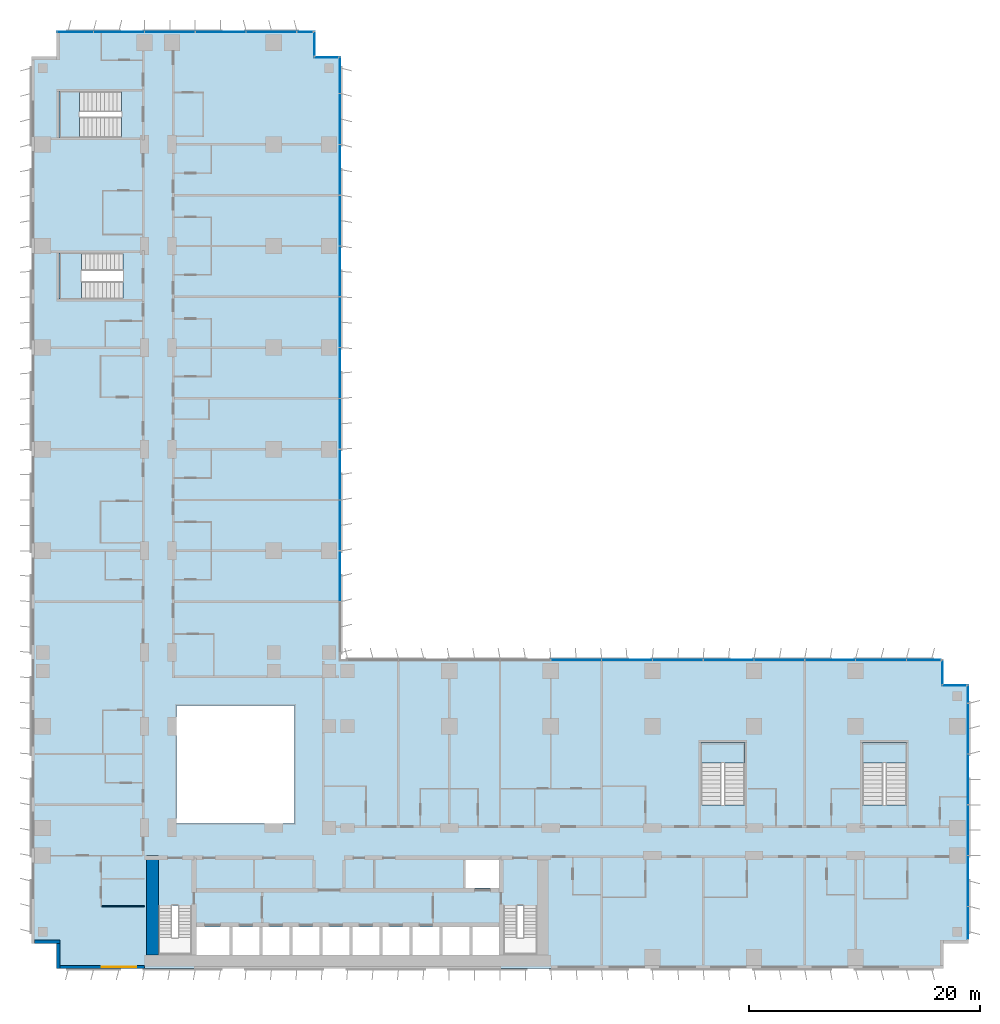
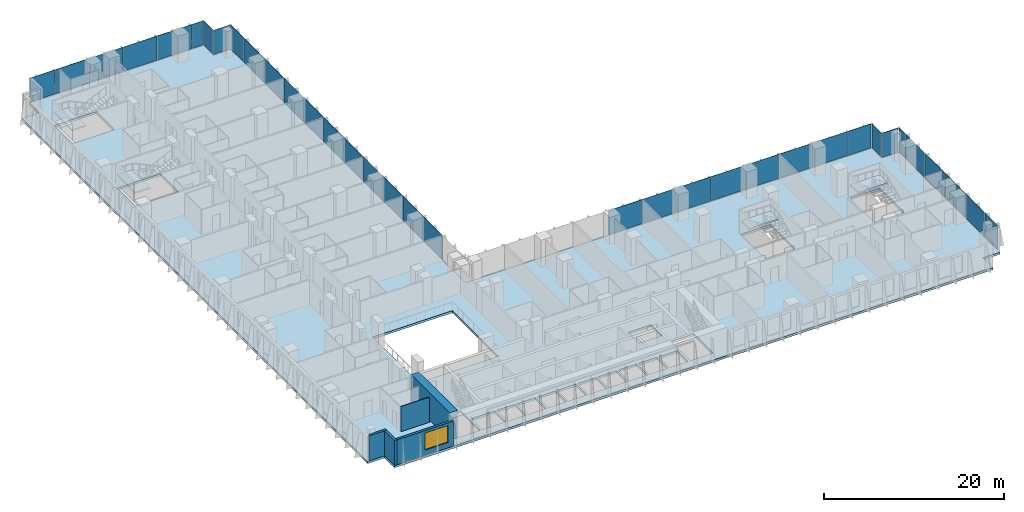
# One storey, part 11 of 24: 35 plates, 5 slabs, 5 walls, 1 window, 1 opening, 12 elements without a shape of their own.
"""IFC4 building model written with IfcOpenShell, lengths in metres."""

from ifc_helpers import new_model, si_unit, direction, frame, frame_2d, origin, origin_2d, place, context, subcontext, project, spatial, polyline, rectangle, outline, extrude, source, transform, mapped, material, layer, layer_set, type_object, element, fill, aggregate, save


model = new_model("IFC4")

# Units and contexts
model_context = context("Model", 3, precision=1e-05, world=origin(), true_north=direction((0.0, 1.0)))
body_context = subcontext(model_context, "Body", "Model", "MODEL_VIEW")
ifc_project = project(units=[si_unit("LENGTHUNIT", "METRE"), si_unit("AREAUNIT", "SQUARE_METRE"), si_unit("VOLUMEUNIT", "CUBIC_METRE"), si_unit("PLANEANGLEUNIT", "RADIAN"), si_unit("MASSUNIT", "GRAM", prefix="KILO")], contexts=[model_context])

# Site, building, storey
site_placement = place(None, origin())
site = spatial("IfcSite", under=ifc_project, at=site_placement, CompositionType="ELEMENT")
building_placement = place(site_placement, origin())
building = spatial("IfcBuilding", under=site, at=building_placement, Name="Kemantara Hotel Tower", CompositionType="ELEMENT")
storey_placement = place(building_placement, frame((0.0, 0.0, 59.89990234375)))
storey = spatial("IfcBuildingStorey", under=building, at=storey_placement, Name="L13", CompositionType="ELEMENT", Elevation=59.89990234375)

# Slab
ifc_material_1 = material(Name="Concrete fc 40 MPa", Category="concrete")
ifc_layer_1 = layer(ifc_material_1, 0.300048828125)
ifc_layer_set_1 = layer_set([ifc_layer_1], Name="Concrete fc 40 MPa")
slab_type_1 = type_object("IfcSlabType", Name="POST-TENSIONED FLAT PLATE 300", PredefinedType="FLOOR", material=ifc_layer_set_1)
slab_1_placement = place(storey_placement, frame((0.0, 0.0, -0.2998046875)))
element("IfcSlab", 1, at=slab_1_placement, inside=storey, type_object=slab_type_1, Name="FLOOR SLAB L13", PredefinedType="FLOOR", context=body_context, shape_type="SweptSolid", body=[
    extrude(outline(polyline([(0.0, 2.199951171875), (2.199951171875, 2.199951171875), (2.199951171875, 0.0), (79.0, 0.0), (79.0, 2.199951171875), (81.199951171875, 2.199951171875), (81.199951171875, 24.60009765625), (79.0, 24.60009765625), (79.0, 26.800048828125), (26.800048828125, 26.800048828125), (26.800048828125, 79.0), (24.60009765625, 79.0), (24.60009765625, 81.199951171875), (2.199951171875, 81.199951171875), (2.199951171875, 79.0), (0.0, 79.0), (0.0, 2.199951171875)]), holes=[polyline([(17.175048828125, 1.199951171875), (14.22509765625, 1.199951171875), (14.22509765625, 3.60009765625), (17.175048828125, 3.60009765625), (17.175048828125, 1.199951171875)]), polyline([(19.77490234375, 1.199951171875), (17.425048828125, 1.199951171875), (17.425048828125, 3.60009765625), (19.77490234375, 3.60009765625), (19.77490234375, 1.199951171875)]), polyline([(22.375, 1.199951171875), (20.02490234375, 1.199951171875), (20.02490234375, 3.60009765625), (22.375, 3.60009765625), (22.375, 1.199951171875)]), polyline([(24.97509765625, 1.199951171875), (22.625, 1.199951171875), (22.625, 3.60009765625), (24.97509765625, 3.60009765625), (24.97509765625, 1.199951171875)]), polyline([(27.574951171875, 1.199951171875), (25.22509765625, 1.199951171875), (25.22509765625, 3.60009765625), (27.574951171875, 3.60009765625), (27.574951171875, 1.199951171875)]), polyline([(11.0, 1.199951171875), (11.0, 5.49951171875), (13.89990234375, 5.49951171875), (13.89990234375, 1.199951171875), (11.0, 1.199951171875)]), polyline([(22.800048828125, 12.60009765625), (12.60009765625, 12.60009765625), (12.60009765625, 22.800048828125), (22.800048828125, 22.800048828125), (22.800048828125, 12.60009765625)]), polyline([(7.949462890625, 62.0), (7.949462890625, 58.0), (2.39990234375, 58.0), (2.39990234375, 62.0), (7.949462890625, 62.0)]), polyline([(7.79931640625, 76.0), (7.79931640625, 72.0), (2.39990234375, 72.0), (2.39990234375, 76.0), (7.79931640625, 76.0)]), polyline([(30.175048828125, 1.199951171875), (27.824951171875, 1.199951171875), (27.824951171875, 3.60009765625), (30.175048828125, 3.60009765625), (30.175048828125, 1.199951171875)]), polyline([(32.77490234375, 1.199951171875), (30.425048828125, 1.199951171875), (30.425048828125, 3.60009765625), (32.77490234375, 3.60009765625), (32.77490234375, 1.199951171875)]), polyline([(35.375, 1.199951171875), (33.02490234375, 1.199951171875), (33.02490234375, 3.60009765625), (35.375, 3.60009765625), (35.375, 1.199951171875)]), polyline([(37.97509765625, 1.199951171875), (35.625, 1.199951171875), (35.625, 3.60009765625), (37.97509765625, 3.60009765625), (37.97509765625, 1.199951171875)]), polyline([(40.574951171875, 1.199951171875), (38.22509765625, 1.199951171875), (38.22509765625, 3.60009765625), (40.574951171875, 3.60009765625), (40.574951171875, 1.199951171875)]), polyline([(40.89990234375, 1.199951171875), (40.89990234375, 5.49951171875), (43.800048828125, 5.49951171875), (43.800048828125, 1.199951171875), (40.89990234375, 1.199951171875)]), polyline([(40.574951171875, 7.0), (37.625, 7.0), (37.625, 9.39990234375), (40.574951171875, 9.39990234375), (40.574951171875, 7.0)]), polyline([(61.800048828125, 14.20068359375), (58.0, 14.20068359375), (58.0, 19.60009765625), (61.800048828125, 19.60009765625), (61.800048828125, 14.20068359375)]), polyline([(75.800048828125, 14.20068359375), (72.0, 14.20068359375), (72.0, 19.60009765625), (75.800048828125, 19.60009765625), (75.800048828125, 14.20068359375)])]), origin(), (0.0, 0.0, 1.0), 0.2998046875),
])

# Stair, slab
stair_type_1 = type_object("IfcStairType", Name="Stair 1800 wide 22 risers of 168 x 360 mm", PredefinedType="HALF_TURN_STAIR", material=ifc_material_1)
stair_1_placement = place(storey_placement, origin())
stair_1 = element("IfcStair", 2, at=stair_1_placement, inside=storey, type_object=stair_type_1, Name="L13 Exit stair ST3", PredefinedType="HALF_TURN_STAIR")
ifc_layer_2 = layer(ifc_material_1, 0.199951171875)
ifc_layer_set_2 = layer_set([ifc_layer_2], Name="Concrete fc 40 MPa")
slab_type_2 = type_object("IfcSlabType", Name="Stair landing 200 mm", PredefinedType="LANDING", material=ifc_layer_set_2)
slab_2_placement = place(storey_placement, frame((0.0, 0.0, 1.650146484375)))
slab_2 = element("IfcSlab", 3, at=slab_2_placement, type_object=slab_type_2, Name="ST3 landing 1", PredefinedType="LANDING", context=body_context, shape_type="SweptSolid", body=[
    extrude(outline(polyline([(61.800048828125, 17.800048828125), (61.800048828125, 19.60009765625), (58.0, 19.60009765625), (58.0, 17.800048828125), (61.800048828125, 17.800048828125)])), origin(), (0.0, 0.0, 1.0), 0.199951171875),
])
aggregate(stair_1, [slab_2])

stair_type_2 = type_object("IfcStairType", Name="Stair 1550 wide 22 risers of 168 x 360 mm", PredefinedType="HALF_TURN_STAIR", material=ifc_material_1)
stair_2_placement = place(storey_placement, origin())
stair_2 = element("IfcStair", 4, at=stair_2_placement, inside=storey, type_object=stair_type_2, Name="L13 Exit stair ST4", PredefinedType="HALF_TURN_STAIR")
slab_3_placement = place(storey_placement, frame((0.0, 0.0, 1.650146484375)))
slab_3 = element("IfcSlab", 5, at=slab_3_placement, type_object=slab_type_2, Name="ST4 landing 1", PredefinedType="LANDING", context=body_context, shape_type="SweptSolid", body=[
    extrude(outline(polyline([(4.35009765625, 62.0), (2.39990234375, 62.0), (2.39990234375, 58.0), (4.35009765625, 58.0), (4.35009765625, 62.0)])), origin(), (0.0, 0.0, 1.0), 0.199951171875),
])
aggregate(stair_2, [slab_3])

stair_3_placement = place(storey_placement, origin())
stair_3 = element("IfcStair", 6, at=stair_3_placement, inside=storey, type_object=stair_type_1, Name="L13 Exit stair ST5", PredefinedType="HALF_TURN_STAIR")
slab_4_placement = place(storey_placement, frame((0.0, 0.0, 1.650146484375)))
slab_4 = element("IfcSlab", 7, at=slab_4_placement, type_object=slab_type_2, Name="ST5 landing 1", PredefinedType="LANDING", context=body_context, shape_type="SweptSolid", body=[
    extrude(outline(polyline([(75.800048828125, 17.800048828125), (75.800048828125, 19.60009765625), (72.0, 19.60009765625), (72.0, 17.800048828125), (75.800048828125, 17.800048828125)])), origin(), (0.0, 0.0, 1.0), 0.199951171875),
])
aggregate(stair_3, [slab_4])

stair_4_placement = place(storey_placement, origin())
stair_4 = element("IfcStair", 8, at=stair_4_placement, inside=storey, type_object=stair_type_1, Name="L13 Exit stair ST6", PredefinedType="HALF_TURN_STAIR")
slab_5_placement = place(storey_placement, frame((0.0, 0.0, 1.650146484375)))
slab_5 = element("IfcSlab", 9, at=slab_5_placement, type_object=slab_type_2, Name="ST6 landing 1", PredefinedType="LANDING", context=body_context, shape_type="SweptSolid", body=[
    extrude(outline(polyline([(4.199951171875, 76.0), (2.39990234375, 76.0), (2.39990234375, 72.0), (4.199951171875, 72.0), (4.199951171875, 76.0)])), origin(), (0.0, 0.0, 1.0), 0.199951171875),
])
aggregate(stair_4, [slab_5])

# Curtain wall, plates
ifc_material_2 = material(Name="Low-E tinted double insulated glass 36 mm", Category="glass")
curtain_wall_type = type_object("IfcCurtainWallType", Name="TOWER CURTAIN WALL, FRONT FACES", PredefinedType="USERDEFINED", material=ifc_material_2)
curtain_wall_1_placement = place(storey_placement, origin())
curtain_wall_1 = element("IfcCurtainWall", 10, at=curtain_wall_1_placement, inside=storey, type_object=curtain_wall_type, Name="CW4 L13 T1-R04-1", ObjectType="TOWER CURTAIN WALL, FRONT FACES", PredefinedType="USERDEFINED")
ifc_layer_3 = layer(ifc_material_2, 0.035888671875)
ifc_layer_set_3 = layer_set([ifc_layer_3], Name="Low-E tinted double insulated glass 36 mm")
plate_type = type_object("IfcPlateType", Name="TOWER CURTAIN WALL, FRONT FACES PANEL", PredefinedType="CURTAIN_PANEL", material=ifc_layer_set_3)
shared_shape_1 = source(origin(), body_context, "Body", "SweptSolid", [
    extrude(rectangle(XDim=2.81005859375, YDim=0.035888671875, at=origin_2d()), origin(), (0.0, 0.0, 1.0), 3.280029296875),
])
plate_1_placement = place(storey_placement, frame((81.125, 3.965087890625, 0.1201171875), z_axis=(0.0, 0.0, 1.0), x_axis=(0.0, 1.0, 0.0)))
plate_1 = element("IfcPlate", 11, at=plate_1_placement, type_object=plate_type, Name="CW4 glass panel T1-R04-1.1", PredefinedType="CURTAIN_PANEL", context=body_context, shape_type="MappedRepresentation", body=[
    mapped(shared_shape_1, transform((0.0, 0.0, 0.0))),
])
shared_shape_2 = source(origin(), body_context, "Body", "SweptSolid", [
    extrude(rectangle(XDim=4.340087890625, YDim=0.035888671875, at=origin_2d()), origin(), (0.0, 0.0, 1.0), 3.280029296875),
])
plate_2_placement = place(storey_placement, frame((81.125, 7.60009765625, 0.1201171875), z_axis=(0.0, 0.0, 1.0), x_axis=(0.0, 1.0, 0.0)))
plate_2 = element("IfcPlate", 12, at=plate_2_placement, type_object=plate_type, Name="CW4 glass panel T1-R04-1.2", PredefinedType="CURTAIN_PANEL", context=body_context, shape_type="MappedRepresentation", body=[
    mapped(shared_shape_2, transform((0.0, 0.0, 0.0))),
])
plate_3_placement = place(storey_placement, frame((81.125, 12.0, 0.1201171875), z_axis=(0.0, 0.0, 1.0), x_axis=(0.0, 1.0, 0.0)))
plate_3 = element("IfcPlate", 13, at=plate_3_placement, type_object=plate_type, Name="CW4 glass panel T1-R04-1.3", PredefinedType="CURTAIN_PANEL", context=body_context, shape_type="MappedRepresentation", body=[
    mapped(shared_shape_2, transform((0.0, 0.0, 0.0))),
])
plate_4_placement = place(storey_placement, frame((81.125, 16.39990234375, 0.1201171875), z_axis=(0.0, 0.0, 1.0), x_axis=(0.0, 1.0, 0.0)))
plate_4 = element("IfcPlate", 14, at=plate_4_placement, type_object=plate_type, Name="CW4 glass panel T1-R04-1.4", PredefinedType="CURTAIN_PANEL", context=body_context, shape_type="MappedRepresentation", body=[
    mapped(shared_shape_2, transform((0.0, 0.0, 0.0))),
])
plate_5_placement = place(storey_placement, frame((81.125, 20.800048828125, 0.1201171875), z_axis=(0.0, 0.0, 1.0), x_axis=(0.0, 1.0, 0.0)))
plate_5 = element("IfcPlate", 15, at=plate_5_placement, type_object=plate_type, Name="CW4 glass panel T1-R04-1.5", PredefinedType="CURTAIN_PANEL", context=body_context, shape_type="MappedRepresentation", body=[
    mapped(shared_shape_2, transform((0.0, 0.0, 0.0))),
])

curtain_wall_2_placement = place(storey_placement, origin())
curtain_wall_2 = element("IfcCurtainWall", 16, at=curtain_wall_2_placement, inside=storey, type_object=curtain_wall_type, Name="CW4 L13 T1-R07-1", ObjectType="TOWER CURTAIN WALL, FRONT FACES", PredefinedType="USERDEFINED")
plate_6_placement = place(storey_placement, frame((73.60009765625, 26.72509765625, 0.1201171875), z_axis=(0.0, 0.0, 1.0), x_axis=(-1.0, 0.0, 0.0)))
plate_6 = element("IfcPlate", 17, at=plate_6_placement, type_object=plate_type, Name="CW4 glass panel T1-R07-1.2", PredefinedType="CURTAIN_PANEL", context=body_context, shape_type="MappedRepresentation", body=[
    mapped(shared_shape_2, transform((0.0, 0.0, 0.0))),
])
plate_7_placement = place(storey_placement, frame((69.199951171875, 26.72509765625, 0.1201171875), z_axis=(0.0, 0.0, 1.0), x_axis=(-1.0, 0.0, 0.0)))
plate_7 = element("IfcPlate", 18, at=plate_7_placement, type_object=plate_type, Name="CW4 glass panel T1-R07-1.3", PredefinedType="CURTAIN_PANEL", context=body_context, shape_type="MappedRepresentation", body=[
    mapped(shared_shape_2, transform((0.0, 0.0, 0.0))),
])
plate_8_placement = place(storey_placement, frame((64.800048828125, 26.72509765625, 0.1201171875), z_axis=(0.0, 0.0, 1.0), x_axis=(-1.0, 0.0, 0.0)))
plate_8 = element("IfcPlate", 19, at=plate_8_placement, type_object=plate_type, Name="CW4 glass panel T1-R07-1.4", PredefinedType="CURTAIN_PANEL", context=body_context, shape_type="MappedRepresentation", body=[
    mapped(shared_shape_2, transform((0.0, 0.0, 0.0))),
])
plate_9_placement = place(storey_placement, frame((60.39990234375, 26.72509765625, 0.1201171875), z_axis=(0.0, 0.0, 1.0), x_axis=(-1.0, 0.0, 0.0)))
plate_9 = element("IfcPlate", 20, at=plate_9_placement, type_object=plate_type, Name="CW4 glass panel T1-R07-1.5", PredefinedType="CURTAIN_PANEL", context=body_context, shape_type="MappedRepresentation", body=[
    mapped(shared_shape_2, transform((0.0, 0.0, 0.0))),
])
plate_10_placement = place(storey_placement, frame((56.0, 26.72509765625, 0.1201171875), z_axis=(0.0, 0.0, 1.0), x_axis=(-1.0, 0.0, 0.0)))
plate_10 = element("IfcPlate", 21, at=plate_10_placement, type_object=plate_type, Name="CW4 glass panel T1-R07-1.6", PredefinedType="CURTAIN_PANEL", context=body_context, shape_type="MappedRepresentation", body=[
    mapped(shared_shape_2, transform((0.0, 0.0, 0.0))),
])
plate_11_placement = place(storey_placement, frame((51.60009765625, 26.72509765625, 0.1201171875), z_axis=(0.0, 0.0, 1.0), x_axis=(-1.0, 0.0, 0.0)))
plate_11 = element("IfcPlate", 22, at=plate_11_placement, type_object=plate_type, Name="CW4 glass panel T1-R07-1.7", PredefinedType="CURTAIN_PANEL", context=body_context, shape_type="MappedRepresentation", body=[
    mapped(shared_shape_2, transform((0.0, 0.0, 0.0))),
])
plate_12_placement = place(storey_placement, frame((47.199951171875, 26.72509765625, 0.1201171875), z_axis=(0.0, 0.0, 1.0), x_axis=(-1.0, 0.0, 0.0)))
plate_12 = element("IfcPlate", 23, at=plate_12_placement, type_object=plate_type, Name="CW4 glass panel T1-R07-1.8", PredefinedType="CURTAIN_PANEL", context=body_context, shape_type="MappedRepresentation", body=[
    mapped(shared_shape_2, transform((0.0, 0.0, 0.0))),
])

curtain_wall_3_placement = place(storey_placement, origin())
curtain_wall_3 = element("IfcCurtainWall", 24, at=curtain_wall_3_placement, inside=storey, type_object=curtain_wall_type, Name="CW4 L13 T1-R08-1", ObjectType="TOWER CURTAIN WALL, FRONT FACES", PredefinedType="USERDEFINED")
plate_13_placement = place(storey_placement, frame((26.72509765625, 34.0, 0.1201171875), z_axis=(0.0, 0.0, 1.0), x_axis=(0.0, 1.0, 0.0)))
plate_13 = element("IfcPlate", 25, at=plate_13_placement, type_object=plate_type, Name="CW4 glass panel T1-R08-1.3", PredefinedType="CURTAIN_PANEL", context=body_context, shape_type="MappedRepresentation", body=[
    mapped(shared_shape_2, transform((0.0, 0.0, 0.0))),
])
plate_14_placement = place(storey_placement, frame((26.72509765625, 38.39990234375, 0.1201171875), z_axis=(0.0, 0.0, 1.0), x_axis=(0.0, 1.0, 0.0)))
plate_14 = element("IfcPlate", 26, at=plate_14_placement, type_object=plate_type, Name="CW4 glass panel T1-R08-1.4", PredefinedType="CURTAIN_PANEL", context=body_context, shape_type="MappedRepresentation", body=[
    mapped(shared_shape_2, transform((0.0, 0.0, 0.0))),
])
plate_15_placement = place(storey_placement, frame((26.72509765625, 42.800048828125, 0.1201171875), z_axis=(0.0, 0.0, 1.0), x_axis=(0.0, 1.0, 0.0)))
plate_15 = element("IfcPlate", 27, at=plate_15_placement, type_object=plate_type, Name="CW4 glass panel T1-R08-1.5", PredefinedType="CURTAIN_PANEL", context=body_context, shape_type="MappedRepresentation", body=[
    mapped(shared_shape_2, transform((0.0, 0.0, 0.0))),
])
plate_16_placement = place(storey_placement, frame((26.72509765625, 47.199951171875, 0.1201171875), z_axis=(0.0, 0.0, 1.0), x_axis=(0.0, 1.0, 0.0)))
plate_16 = element("IfcPlate", 28, at=plate_16_placement, type_object=plate_type, Name="CW4 glass panel T1-R08-1.6", PredefinedType="CURTAIN_PANEL", context=body_context, shape_type="MappedRepresentation", body=[
    mapped(shared_shape_2, transform((0.0, 0.0, 0.0))),
])
plate_17_placement = place(storey_placement, frame((26.72509765625, 51.60009765625, 0.1201171875), z_axis=(0.0, 0.0, 1.0), x_axis=(0.0, 1.0, 0.0)))
plate_17 = element("IfcPlate", 29, at=plate_17_placement, type_object=plate_type, Name="CW4 glass panel T1-R08-1.7", PredefinedType="CURTAIN_PANEL", context=body_context, shape_type="MappedRepresentation", body=[
    mapped(shared_shape_2, transform((0.0, 0.0, 0.0))),
])
plate_18_placement = place(storey_placement, frame((26.72509765625, 56.0, 0.1201171875), z_axis=(0.0, 0.0, 1.0), x_axis=(0.0, 1.0, 0.0)))
plate_18 = element("IfcPlate", 30, at=plate_18_placement, type_object=plate_type, Name="CW4 glass panel T1-R08-1.8", PredefinedType="CURTAIN_PANEL", context=body_context, shape_type="MappedRepresentation", body=[
    mapped(shared_shape_2, transform((0.0, 0.0, 0.0))),
])
plate_19_placement = place(storey_placement, frame((26.72509765625, 60.39990234375, 0.1201171875), z_axis=(0.0, 0.0, 1.0), x_axis=(0.0, 1.0, 0.0)))
plate_19 = element("IfcPlate", 31, at=plate_19_placement, type_object=plate_type, Name="CW4 glass panel T1-R08-1.9", PredefinedType="CURTAIN_PANEL", context=body_context, shape_type="MappedRepresentation", body=[
    mapped(shared_shape_2, transform((0.0, 0.0, 0.0))),
])
plate_20_placement = place(storey_placement, frame((26.72509765625, 64.800048828125, 0.1201171875), z_axis=(0.0, 0.0, 1.0), x_axis=(0.0, 1.0, 0.0)))
plate_20 = element("IfcPlate", 32, at=plate_20_placement, type_object=plate_type, Name="CW4 glass panel T1-R08-1.10", PredefinedType="CURTAIN_PANEL", context=body_context, shape_type="MappedRepresentation", body=[
    mapped(shared_shape_2, transform((0.0, 0.0, 0.0))),
])
plate_21_placement = place(storey_placement, frame((26.72509765625, 69.199951171875, 0.1201171875), z_axis=(0.0, 0.0, 1.0), x_axis=(0.0, 1.0, 0.0)))
plate_21 = element("IfcPlate", 33, at=plate_21_placement, type_object=plate_type, Name="CW4 glass panel T1-R08-1.11", PredefinedType="CURTAIN_PANEL", context=body_context, shape_type="MappedRepresentation", body=[
    mapped(shared_shape_2, transform((0.0, 0.0, 0.0))),
])
plate_22_placement = place(storey_placement, frame((26.72509765625, 73.60009765625, 0.1201171875), z_axis=(0.0, 0.0, 1.0), x_axis=(0.0, 1.0, 0.0)))
plate_22 = element("IfcPlate", 34, at=plate_22_placement, type_object=plate_type, Name="CW4 glass panel T1-R08-1.12", PredefinedType="CURTAIN_PANEL", context=body_context, shape_type="MappedRepresentation", body=[
    mapped(shared_shape_2, transform((0.0, 0.0, 0.0))),
])

curtain_wall_4_placement = place(storey_placement, origin())
curtain_wall_4 = element("IfcCurtainWall", 35, at=curtain_wall_4_placement, inside=storey, type_object=curtain_wall_type, Name="CW4 L13 T1-R11-1", ObjectType="TOWER CURTAIN WALL, FRONT FACES", PredefinedType="USERDEFINED")
plate_23_placement = place(storey_placement, frame((20.800048828125, 81.125, 0.1201171875), z_axis=(0.0, 0.0, 1.0), x_axis=(-1.0, 0.0, 0.0)))
plate_23 = element("IfcPlate", 36, at=plate_23_placement, type_object=plate_type, Name="CW4 glass panel T1-R11-1.2", PredefinedType="CURTAIN_PANEL", context=body_context, shape_type="MappedRepresentation", body=[
    mapped(shared_shape_2, transform((0.0, 0.0, 0.0))),
])
plate_24_placement = place(storey_placement, frame((16.39990234375, 81.125, 0.1201171875), z_axis=(0.0, 0.0, 1.0), x_axis=(-1.0, 0.0, 0.0)))
plate_24 = element("IfcPlate", 37, at=plate_24_placement, type_object=plate_type, Name="CW4 glass panel T1-R11-1.3", PredefinedType="CURTAIN_PANEL", context=body_context, shape_type="MappedRepresentation", body=[
    mapped(shared_shape_2, transform((0.0, 0.0, 0.0))),
])
plate_25_placement = place(storey_placement, frame((12.0, 81.125, 0.1201171875), z_axis=(0.0, 0.0, 1.0), x_axis=(-1.0, 0.0, 0.0)))
plate_25 = element("IfcPlate", 38, at=plate_25_placement, type_object=plate_type, Name="CW4 glass panel T1-R11-1.4", PredefinedType="CURTAIN_PANEL", context=body_context, shape_type="MappedRepresentation", body=[
    mapped(shared_shape_2, transform((0.0, 0.0, 0.0))),
])
plate_26_placement = place(storey_placement, frame((7.60009765625, 81.125, 0.1201171875), z_axis=(0.0, 0.0, 1.0), x_axis=(-1.0, 0.0, 0.0)))
plate_26 = element("IfcPlate", 39, at=plate_26_placement, type_object=plate_type, Name="CW4 glass panel T1-R11-1.5", PredefinedType="CURTAIN_PANEL", context=body_context, shape_type="MappedRepresentation", body=[
    mapped(shared_shape_2, transform((0.0, 0.0, 0.0))),
])

# Plate
shared_shape_3 = source(origin(), body_context, "Body", "SweptSolid", [
    extrude(rectangle(XDim=1.510009765625, YDim=0.035888671875, at=origin_2d()), origin(), (0.0, 0.0, 1.0), 3.280029296875),
])
plate_27_placement = place(storey_placement, frame((81.125, 23.784912109375, 0.1201171875), z_axis=(0.0, 0.0, 1.0), x_axis=(0.0, 1.0, 0.0)))
plate_27 = element("IfcPlate", 40, at=plate_27_placement, type_object=plate_type, Name="CW4 glass panel T1-R04-1.6", PredefinedType="CURTAIN_PANEL", context=body_context, shape_type="MappedRepresentation", body=[
    mapped(shared_shape_3, transform((0.0, 0.0, 0.0))),
])

aggregate(curtain_wall_1, [plate_1, plate_2, plate_3, plate_4, plate_5, plate_27])

shared_shape_4 = source(origin(), body_context, "Body", "SweptSolid", [
    extrude(rectangle(XDim=1.360107421875, YDim=0.035888671875, at=origin_2d()), origin(), (0.0, 0.0, 1.0), 3.280029296875),
])
plate_28_placement = place(storey_placement, frame((23.7099609375, 81.125, 0.1201171875), z_axis=(0.0, 0.0, 1.0), x_axis=(-1.0, 0.0, 0.0)))
plate_28 = element("IfcPlate", 41, at=plate_28_placement, type_object=plate_type, Name="CW4 glass panel T1-R11-1.1", PredefinedType="CURTAIN_PANEL", context=body_context, shape_type="MappedRepresentation", body=[
    mapped(shared_shape_4, transform((0.0, 0.0, 0.0))),
])

shared_shape_5 = source(origin(), body_context, "Body", "SweptSolid", [
    extrude(rectangle(XDim=3.110107421875, YDim=0.035888671875, at=origin_2d()), origin(), (0.0, 0.0, 1.0), 3.280029296875),
])
plate_29_placement = place(storey_placement, frame((26.72509765625, 77.385009765625, 0.1201171875), z_axis=(0.0, 0.0, 1.0), x_axis=(0.0, 1.0, 0.0)))
plate_29 = element("IfcPlate", 42, at=plate_29_placement, type_object=plate_type, Name="CW4 glass panel T1-R08-1.13", PredefinedType="CURTAIN_PANEL", context=body_context, shape_type="MappedRepresentation", body=[
    mapped(shared_shape_5, transform((0.0, 0.0, 0.0))),
])

aggregate(curtain_wall_3, [plate_13, plate_14, plate_15, plate_16, plate_17, plate_18, plate_19, plate_20, plate_21, plate_22, plate_29])

plate_30_placement = place(storey_placement, frame((3.81494140625, 81.125, 0.1201171875), z_axis=(0.0, 0.0, 1.0), x_axis=(-1.0, 0.0, 0.0)))
plate_30 = element("IfcPlate", 43, at=plate_30_placement, type_object=plate_type, Name="CW4 glass panel T1-R11-1.6", PredefinedType="CURTAIN_PANEL", context=body_context, shape_type="MappedRepresentation", body=[
    mapped(shared_shape_5, transform((0.0, 0.0, 0.0))),
])

aggregate(curtain_wall_4, [plate_28, plate_23, plate_24, plate_25, plate_26, plate_30])

# Curtain wall, plate
curtain_wall_5_placement = place(storey_placement, origin())
curtain_wall_5 = element("IfcCurtainWall", 44, at=curtain_wall_5_placement, inside=storey, type_object=curtain_wall_type, Name="CW4 L13 T1-R05-1", ObjectType="TOWER CURTAIN WALL, FRONT FACES", PredefinedType="USERDEFINED")
shared_shape_6 = source(origin(), body_context, "Body", "SweptSolid", [
    extrude(rectangle(XDim=2.080078125, YDim=0.035888671875, at=origin_2d()), origin(), (0.0, 0.0, 1.0), 3.280029296875),
])
plate_31_placement = place(storey_placement, frame((79.949951171875, 24.52490234375, 0.1201171875), z_axis=(0.0, 0.0, 1.0), x_axis=(-1.0, 0.0, 0.0)))
plate_31 = element("IfcPlate", 45, at=plate_31_placement, type_object=plate_type, Name="CW4 glass panel T1-R05-1.1", PredefinedType="CURTAIN_PANEL", context=body_context, shape_type="MappedRepresentation", body=[
    mapped(shared_shape_6, transform((0.0, 0.0, 0.0))),
])
aggregate(curtain_wall_5, [plate_31])

curtain_wall_6_placement = place(storey_placement, origin())
curtain_wall_6 = element("IfcCurtainWall", 46, at=curtain_wall_6_placement, inside=storey, type_object=curtain_wall_type, Name="CW4 L13 T1-R06-1", ObjectType="TOWER CURTAIN WALL, FRONT FACES", PredefinedType="USERDEFINED")
plate_32_placement = place(storey_placement, frame((78.925048828125, 25.699951171875, 0.1201171875), z_axis=(0.0, 0.0, 1.0), x_axis=(0.0, 1.0, 0.0)))
plate_32 = element("IfcPlate", 47, at=plate_32_placement, type_object=plate_type, Name="CW4 glass panel T1-R06-1.1", PredefinedType="CURTAIN_PANEL", context=body_context, shape_type="MappedRepresentation", body=[
    mapped(shared_shape_6, transform((0.0, 0.0, 0.0))),
])
aggregate(curtain_wall_6, [plate_32])

curtain_wall_7_placement = place(storey_placement, origin())
curtain_wall_7 = element("IfcCurtainWall", 48, at=curtain_wall_7_placement, inside=storey, type_object=curtain_wall_type, Name="CW4 L13 T1-R09-1", ObjectType="TOWER CURTAIN WALL, FRONT FACES", PredefinedType="USERDEFINED")
plate_33_placement = place(storey_placement, frame((25.550048828125, 78.925048828125, 0.1201171875), z_axis=(0.0, 0.0, 1.0), x_axis=(-1.0, 0.0, 0.0)))
plate_33 = element("IfcPlate", 49, at=plate_33_placement, type_object=plate_type, Name="CW4 glass panel T1-R09-1.1", PredefinedType="CURTAIN_PANEL", context=body_context, shape_type="MappedRepresentation", body=[
    mapped(shared_shape_6, transform((0.0, 0.0, 0.0))),
])
aggregate(curtain_wall_7, [plate_33])

curtain_wall_8_placement = place(storey_placement, origin())
curtain_wall_8 = element("IfcCurtainWall", 50, at=curtain_wall_8_placement, inside=storey, type_object=curtain_wall_type, Name="CW4 L13 T1-R10-1", ObjectType="TOWER CURTAIN WALL, FRONT FACES", PredefinedType="USERDEFINED")
plate_34_placement = place(storey_placement, frame((24.52490234375, 80.10009765625, 0.1201171875), z_axis=(0.0, 0.0, 1.0), x_axis=(0.0, 1.0, 0.0)))
plate_34 = element("IfcPlate", 51, at=plate_34_placement, type_object=plate_type, Name="CW4 glass panel T1-R10-1.1", PredefinedType="CURTAIN_PANEL", context=body_context, shape_type="MappedRepresentation", body=[
    mapped(shared_shape_6, transform((0.0, 0.0, 0.0))),
])
aggregate(curtain_wall_8, [plate_34])

# Plate
shared_shape_7 = source(origin(), body_context, "Body", "SweptSolid", [
    extrude(rectangle(XDim=2.9599609375, YDim=0.035888671875, at=origin_2d()), origin(), (0.0, 0.0, 1.0), 3.280029296875),
])
plate_35_placement = place(storey_placement, frame((77.31005859375, 26.72509765625, 0.1201171875), z_axis=(0.0, 0.0, 1.0), x_axis=(-1.0, 0.0, 0.0)))
plate_35 = element("IfcPlate", 52, at=plate_35_placement, type_object=plate_type, Name="CW4 glass panel T1-R07-1.1", PredefinedType="CURTAIN_PANEL", context=body_context, shape_type="MappedRepresentation", body=[
    mapped(shared_shape_7, transform((0.0, 0.0, 0.0))),
])

aggregate(curtain_wall_2, [plate_35, plate_6, plate_7, plate_8, plate_9, plate_10, plate_11, plate_12])

# Wall
ifc_material_3 = material(Name="Bronze anodised aluminium cladding on insulated steel stud wall", Category="steel")
ifc_layer_4 = layer(ifc_material_3, 0.300048828125)
ifc_layer_set_4 = layer_set([ifc_layer_4], Name="Bronze anodised aluminium cladding on insulated steel stud wall")
wall_type_1 = type_object("IfcWallType", Name="BRONZE METAL-CLAD EXTERNAL WALL 300", PredefinedType="STANDARD", material=ifc_layer_set_4)
wall_1_placement = place(storey_placement, frame((2.35009765625, 2.199951171875, 0.0), z_axis=(0.0, 0.0, 1.0), x_axis=(0.0, -1.0, 0.0)))
element("IfcWall", 53, at=wall_1_placement, inside=storey, type_object=wall_type_1, Name="EXTERNAL WALL L13 T1-R00", PredefinedType="STANDARD", context=body_context, shape_type="SweptSolid", body=[
    extrude(rectangle(XDim=2.199951171875, YDim=0.300048828125, at=frame_2d((1.10009765625, 0.0))), origin(), (0.0, 0.0, 1.0), 3.400146484375),
])

# Wall, opening, window
wall_2_placement = place(storey_placement, frame((2.5, 0.14990234375, 0.0), z_axis=(0.0, 0.0, 1.0), x_axis=(1.0, 0.0, 0.0)))
wall_2 = element("IfcWall", 54, at=wall_2_placement, inside=storey, type_object=wall_type_1, Name="EXTERNAL WALL L13 T1-R01", PredefinedType="STANDARD", context=body_context, shape_type="SweptSolid", body=[
    extrude(rectangle(XDim=7.300048828125, YDim=0.300048828125, at=frame_2d((3.64990234375, 0.0))), origin(), (0.0, 0.0, 1.0), 3.400146484375),
])
opening_placement = place(wall_2_placement, frame((3.60009765625, 0.0, 0.75)))
opening = element("IfcOpeningElement", 55, at=opening_placement, cuts=wall_2, Name="Opening W1", PredefinedType="OPENING", context=body_context, shape_type="SweptSolid", body=[
    extrude(rectangle(XDim=3.0, YDim=2.300048828125, at=frame_2d((1.5, 1.14990234375))), frame((0.0, 0.159912109375, 0.0), z_axis=(0.0, -1.0, 0.0), x_axis=(1.0, 0.0, 0.0)), (0.0, 0.0, 1.0), 0.320068359375),
])
ifc_material_4 = material(Name="Low-E tinted double insulated glass in bronze anodised aluminium frame", Category="aluminium")
window_type = type_object("IfcWindowType", Name="CHICAGO WINDOW, TRIPLE PANEL 3000x2300", PartitioningType="TRIPLE_PANEL_VERTICAL", PredefinedType="WINDOW", material=ifc_material_4)
window_placement = place(opening_placement, origin())
window = element("IfcWindow", 56, at=window_placement, inside=storey, type_object=window_type, Name="CHICAGO WINDOW L13 T1-R01-54", OverallHeight=2.300048828125, OverallWidth=3.0, PartitioningType="SINGLE_PANEL", PredefinedType="WINDOW", context=body_context, shape_type="SweptSolid", body=[
    extrude(rectangle(XDim=3.0, YDim=2.300048828125, at=frame_2d((1.5, 1.14990234375))), frame((0.0, 0.030029296875, 0.0), z_axis=(0.0, -1.0, 0.0), x_axis=(1.0, 0.0, 0.0)), (0.0, 0.0, 1.0), 0.06005859375),
])
fill(opening, window)

# Walls
wall_3_placement = place(storey_placement, frame((0.300048828125, 2.35009765625, 0.0), z_axis=(0.0, 0.0, 1.0), x_axis=(1.0, 0.0, 0.0)))
element("IfcWall", 57, at=wall_3_placement, inside=storey, type_object=wall_type_1, Name="EXTERNAL WALL L13 T1-R15", PredefinedType="STANDARD", context=body_context, shape_type="SweptSolid", body=[
    extrude(rectangle(XDim=2.199951171875, YDim=0.300048828125, at=frame_2d((1.10009765625, 0.0))), origin(), (0.0, 0.0, 1.0), 3.400146484375),
])
ifc_material_5 = material(Name="Concrete fc 70 MPa", Category="concrete")
ifc_layer_5 = layer(ifc_material_5, 1.0)
ifc_layer_set_5 = layer_set([ifc_layer_5], Name="Concrete fc 70 MPa")
wall_type_2 = type_object("IfcWallType", Name="CORE WALL 1000 FC70", PredefinedType="SHEAR", material=ifc_layer_set_5)
wall_4_placement = place(storey_placement, frame((10.5, 1.199951171875, 0.0), z_axis=(0.0, 0.0, 1.0), x_axis=(0.0, 1.0, 0.0)))
element("IfcWall", 58, at=wall_4_placement, inside=storey, type_object=wall_type_2, Name="CORE WALL CW-W", PredefinedType="SHEAR", context=body_context, shape_type="SweptSolid", body=[
    extrude(rectangle(XDim=8.60009765625, YDim=1.0, at=frame_2d((4.300048828125, 0.0))), origin(), (0.0, 0.0, 1.0), 3.7001953125),
])
ifc_material_6 = material(Name="Gypsum board partition on steel studs, 100 mm", Category="steel")
ifc_layer_6 = layer(ifc_material_6, 0.10009765625)
ifc_layer_set_6 = layer_set([ifc_layer_6], Name="Gypsum board partition on steel studs, 100 mm")
wall_type_3 = type_object("IfcWallType", Name="ROOM PARTITION 100", PredefinedType="PARTITIONING", material=ifc_layer_set_6)
wall_5_placement = place(storey_placement, frame((6.10009765625, 5.39990234375, 0.0), z_axis=(0.0, 0.0, 1.0), x_axis=(1.0, 0.0, 0.0)))
element("IfcWall", 59, at=wall_5_placement, inside=storey, type_object=wall_type_3, Name="ROOM PARTITION 100 097", PredefinedType="PARTITIONING", context=body_context, shape_type="SweptSolid", body=[
    extrude(rectangle(XDim=3.69970703125, YDim=0.10009765625, at=frame_2d((1.849853515625, 0.0))), origin(), (0.0, 0.0, 1.0), 3.400146484375),
])

save(model, "model.ifc")
